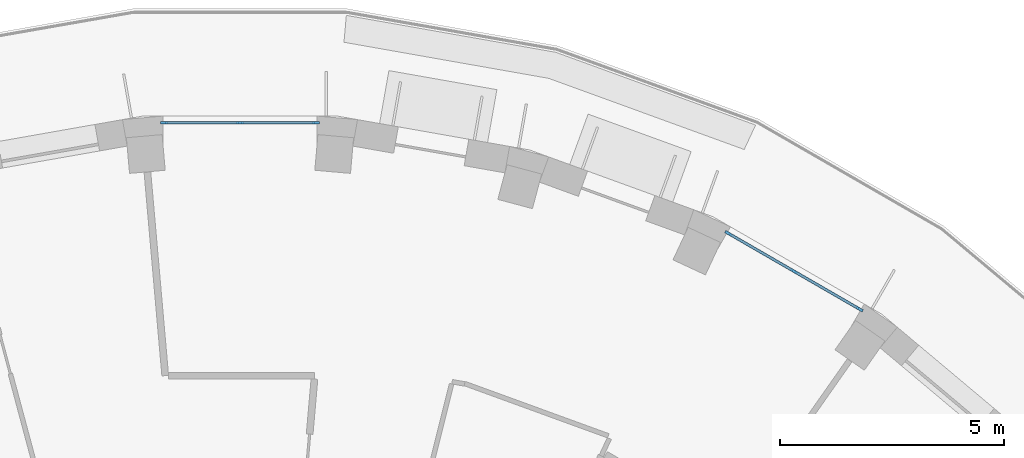
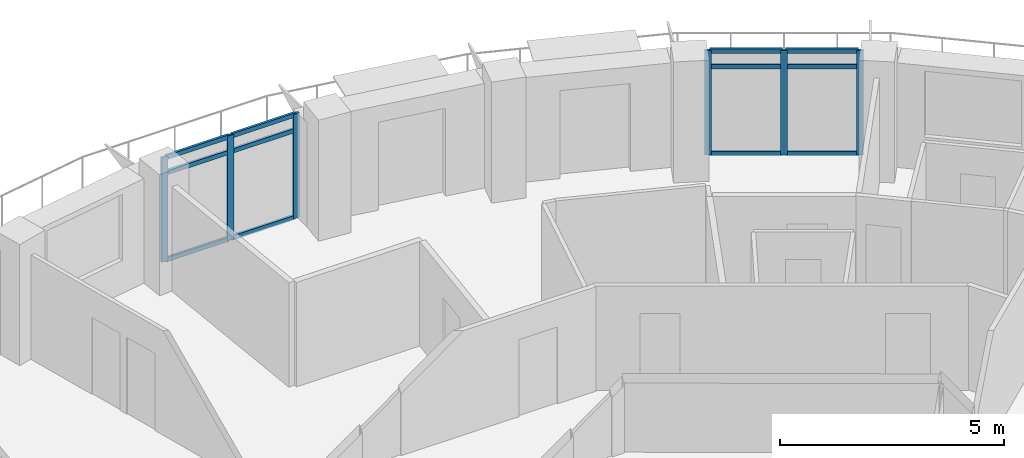
# One storey, part 2 of 13: 18 members, 2 elements without a shape of their own.
"""IFC4 building model written with IfcOpenShell, lengths in metres."""

from ifc_helpers import new_model, si_unit, direction, frame, origin, origin_2d, place, context, subcontext, project, spatial, rectangle, extrude, material, layer, layer_set, material_profile, profile_set, type_object, element, aggregate, save


model = new_model("IFC4")

# Units and contexts
model_context = context("Model", 3, precision=1e-05, world=origin(), true_north=direction((0.0, 1.0)))
body_context = subcontext(model_context, "Body", "Model", "MODEL_VIEW")
ifc_project = project(units=[si_unit("LENGTHUNIT", "METRE"), si_unit("AREAUNIT", "SQUARE_METRE"), si_unit("VOLUMEUNIT", "CUBIC_METRE"), si_unit("PLANEANGLEUNIT", "RADIAN"), si_unit("MASSUNIT", "GRAM", prefix="KILO")], contexts=[model_context])

# Site, building, storey
site_placement = place(None, origin())
site = spatial("IfcSite", under=ifc_project, at=site_placement, CompositionType="ELEMENT")
building_placement = place(site_placement, origin())
building = spatial("IfcBuilding", under=site, at=building_placement, Name="Saqina Gate Tower", CompositionType="ELEMENT")
storey_placement = place(building_placement, frame((0.0, 0.0, 203.699951171875)))
storey = spatial("IfcBuildingStorey", under=building, at=storey_placement, Name="L58", CompositionType="ELEMENT", Elevation=203.699951171875)

# Curtain wall, members
ifc_material_1 = material(Name="Aluminium glazing", Category="aluminium")
ifc_layer = layer(ifc_material_1, 0.159912109375)
ifc_layer_set = layer_set([ifc_layer], Name="CWT-4")
curtain_wall_type = type_object("IfcCurtainWallType", Name="CWT-4", PredefinedType="NOTDEFINED", material=ifc_layer_set)
curtain_wall_1_placement = place(storey_placement, origin())
curtain_wall_1 = element("IfcCurtainWall", 1, at=curtain_wall_1_placement, inside=storey, type_object=curtain_wall_type, Name="Terrace lounge glazing facet 6", PredefinedType="NOTDEFINED")
ifc_material_2 = material(Name="Aluminium", Category="aluminium")
ifc_material_profile_1 = material_profile(ifc_material_2, rectangle(XDim=0.06005859375, YDim=0.159912109375, at=origin_2d()), Name="Aluminium 60x160")
ifc_profile_set_1 = profile_set([ifc_material_profile_1], Name="Aluminium")
member_type_1 = type_object("IfcMemberType", Name="CWT-4M", PredefinedType="MULLION", material=ifc_profile_set_1)
member_1_placement = place(storey_placement, frame((13.84521484375, 20.5908203125, 0.0), z_axis=(0.0, 0.0, 1.0), x_axis=(-0.500014364391, -0.866017110341, 0.0)))
member_1 = element("IfcMember", 2, at=member_1_placement, type_object=member_type_1, Name="CW4-06 mullion 1", PredefinedType="MULLION", context=body_context, shape_type="SweptSolid", body=[
    extrude(rectangle(XDim=0.06005859375, YDim=0.159912109375, at=origin_2d()), origin(), (0.0, 0.0, 1.0), 2.85009765625),
])
member_2_placement = place(storey_placement, frame((12.37744140625, 21.438232421875, 0.0), z_axis=(0.0, 0.0, 1.0), x_axis=(-0.500014364391, -0.866017110341, 0.0)))
member_2 = element("IfcMember", 3, at=member_2_placement, type_object=member_type_1, Name="CW4-06 mullion 2", PredefinedType="MULLION", context=body_context, shape_type="SweptSolid", body=[
    extrude(rectangle(XDim=0.06005859375, YDim=0.159912109375, at=origin_2d()), origin(), (0.0, 0.0, 1.0), 2.85009765625),
])
member_3_placement = place(storey_placement, frame((10.90966796875, 22.285888671875, 0.0), z_axis=(0.0, 0.0, 1.0), x_axis=(-0.500014364391, -0.866017110341, 0.0)))
member_3 = element("IfcMember", 4, at=member_3_placement, type_object=member_type_1, Name="CW4-06 mullion 3", PredefinedType="MULLION", context=body_context, shape_type="SweptSolid", body=[
    extrude(rectangle(XDim=0.06005859375, YDim=0.159912109375, at=origin_2d()), origin(), (0.0, 0.0, 1.0), 2.85009765625),
])

curtain_wall_2_placement = place(storey_placement, origin())
curtain_wall_2 = element("IfcCurtainWall", 5, at=curtain_wall_2_placement, inside=storey, type_object=curtain_wall_type, Name="Terrace lounge glazing facet 9", PredefinedType="NOTDEFINED")
member_4_placement = place(storey_placement, frame((1.69482421875, 24.7548828125, 0.0), z_axis=(0.0, 0.0, 1.0), x_axis=(0.0, -1.0, 0.0)))
member_4 = element("IfcMember", 6, at=member_4_placement, type_object=member_type_1, Name="CW4-09 mullion 1", PredefinedType="MULLION", context=body_context, shape_type="SweptSolid", body=[
    extrude(rectangle(XDim=0.06005859375, YDim=0.159912109375, at=origin_2d()), origin(), (0.0, 0.0, 1.0), 2.85009765625),
])
member_5_placement = place(storey_placement, frame((0.0, 24.7548828125, 0.0), z_axis=(0.0, 0.0, 1.0), x_axis=(0.0, -1.0, 0.0)))
member_5 = element("IfcMember", 7, at=member_5_placement, type_object=member_type_1, Name="CW4-09 mullion 2", PredefinedType="MULLION", context=body_context, shape_type="SweptSolid", body=[
    extrude(rectangle(XDim=0.06005859375, YDim=0.159912109375, at=origin_2d()), origin(), (0.0, 0.0, 1.0), 2.85009765625),
])
member_6_placement = place(storey_placement, frame((-1.69482421875, 24.7548828125, 0.0), z_axis=(0.0, 0.0, 1.0), x_axis=(0.0, -1.0, 0.0)))
member_6 = element("IfcMember", 8, at=member_6_placement, type_object=member_type_1, Name="CW4-09 mullion 3", PredefinedType="MULLION", context=body_context, shape_type="SweptSolid", body=[
    extrude(rectangle(XDim=0.06005859375, YDim=0.159912109375, at=origin_2d()), origin(), (0.0, 0.0, 1.0), 2.85009765625),
])

# Member
ifc_material_3 = material(Name="Aluminium", Category="aluminium")
ifc_material_profile_2 = material_profile(ifc_material_3, rectangle(XDim=0.06005859375, YDim=0.1201171875, at=origin_2d()), Name="Aluminium 60x120")
ifc_profile_set_2 = profile_set([ifc_material_profile_2], Name="Aluminium")
member_type_2 = type_object("IfcMemberType", Name="CWT-4T", PredefinedType="USERDEFINED", material=ifc_profile_set_2)
member_7_placement = place(storey_placement, frame((13.8193359375, 20.60595703125, 0.030029296875), z_axis=(-0.866066236526, 0.499929268946, 0.0), x_axis=(-0.499929268946, -0.866066236526, 0.0)))
member_7 = element("IfcMember", 9, at=member_7_placement, type_object=member_type_2, Name="CW4-06 transom 1.1", ObjectType="TRANSOM", PredefinedType="USERDEFINED", context=body_context, shape_type="SweptSolid", body=[
    extrude(rectangle(XDim=0.06005859375, YDim=0.1201171875, at=origin_2d()), origin(), (0.0, 0.0, 1.0), 1.635009765625),
])

member_8_placement = place(storey_placement, frame((13.8193359375, 20.60595703125, 2.400146484375), z_axis=(-0.866066236526, 0.499929268946, 0.0), x_axis=(-0.499929268946, -0.866066236526, 0.0)))
member_8 = element("IfcMember", 10, at=member_8_placement, type_object=member_type_2, Name="CW4-06 transom 1.2", ObjectType="TRANSOM", PredefinedType="USERDEFINED", context=body_context, shape_type="SweptSolid", body=[
    extrude(rectangle(XDim=0.06005859375, YDim=0.1201171875, at=origin_2d()), origin(), (0.0, 0.0, 1.0), 1.635009765625),
])

member_9_placement = place(storey_placement, frame((13.8193359375, 20.60595703125, 2.820068359375), z_axis=(-0.866066236526, 0.499929268946, 0.0), x_axis=(-0.499929268946, -0.866066236526, 0.0)))
member_9 = element("IfcMember", 11, at=member_9_placement, type_object=member_type_2, Name="CW4-06 transom 1.3", ObjectType="TRANSOM", PredefinedType="USERDEFINED", context=body_context, shape_type="SweptSolid", body=[
    extrude(rectangle(XDim=0.06005859375, YDim=0.1201171875, at=origin_2d()), origin(), (0.0, 0.0, 1.0), 1.635009765625),
])

member_10_placement = place(storey_placement, frame((12.3515625, 21.453369140625, 0.030029296875), z_axis=(-0.866066236526, 0.499929268946, 0.0), x_axis=(-0.499929268946, -0.866066236526, 0.0)))
member_10 = element("IfcMember", 12, at=member_10_placement, type_object=member_type_2, Name="CW4-06 transom 2.1", ObjectType="TRANSOM", PredefinedType="USERDEFINED", context=body_context, shape_type="SweptSolid", body=[
    extrude(rectangle(XDim=0.06005859375, YDim=0.1201171875, at=origin_2d()), origin(), (0.0, 0.0, 1.0), 1.635009765625),
])

member_11_placement = place(storey_placement, frame((12.3515625, 21.453369140625, 2.400146484375), z_axis=(-0.866066236526, 0.499929268946, 0.0), x_axis=(-0.499929268946, -0.866066236526, 0.0)))
member_11 = element("IfcMember", 13, at=member_11_placement, type_object=member_type_2, Name="CW4-06 transom 2.2", ObjectType="TRANSOM", PredefinedType="USERDEFINED", context=body_context, shape_type="SweptSolid", body=[
    extrude(rectangle(XDim=0.06005859375, YDim=0.1201171875, at=origin_2d()), origin(), (0.0, 0.0, 1.0), 1.635009765625),
])

member_12_placement = place(storey_placement, frame((12.3515625, 21.453369140625, 2.820068359375), z_axis=(-0.866066236526, 0.499929268946, 0.0), x_axis=(-0.499929268946, -0.866066236526, 0.0)))
member_12 = element("IfcMember", 14, at=member_12_placement, type_object=member_type_2, Name="CW4-06 transom 2.3", ObjectType="TRANSOM", PredefinedType="USERDEFINED", context=body_context, shape_type="SweptSolid", body=[
    extrude(rectangle(XDim=0.06005859375, YDim=0.1201171875, at=origin_2d()), origin(), (0.0, 0.0, 1.0), 1.635009765625),
])

aggregate(curtain_wall_1, [member_1, member_2, member_3, member_7, member_8, member_9, member_10, member_11, member_12])

member_13_placement = place(storey_placement, frame((1.664794921875, 24.7548828125, 0.030029296875), z_axis=(-1.0, 0.0, 0.0), x_axis=(0.0, -1.0, 0.0)))
member_13 = element("IfcMember", 15, at=member_13_placement, type_object=member_type_2, Name="CW4-09 transom 1.1", ObjectType="TRANSOM", PredefinedType="USERDEFINED", context=body_context, shape_type="SweptSolid", body=[
    extrude(rectangle(XDim=0.06005859375, YDim=0.1201171875, at=origin_2d()), origin(), (0.0, 0.0, 1.0), 1.634765625),
])

member_14_placement = place(storey_placement, frame((1.664794921875, 24.7548828125, 2.400146484375), z_axis=(-1.0, 0.0, 0.0), x_axis=(0.0, -1.0, 0.0)))
member_14 = element("IfcMember", 16, at=member_14_placement, type_object=member_type_2, Name="CW4-09 transom 1.2", ObjectType="TRANSOM", PredefinedType="USERDEFINED", context=body_context, shape_type="SweptSolid", body=[
    extrude(rectangle(XDim=0.06005859375, YDim=0.1201171875, at=origin_2d()), origin(), (0.0, 0.0, 1.0), 1.634765625),
])

member_15_placement = place(storey_placement, frame((1.664794921875, 24.7548828125, 2.820068359375), z_axis=(-1.0, 0.0, 0.0), x_axis=(0.0, -1.0, 0.0)))
member_15 = element("IfcMember", 17, at=member_15_placement, type_object=member_type_2, Name="CW4-09 transom 1.3", ObjectType="TRANSOM", PredefinedType="USERDEFINED", context=body_context, shape_type="SweptSolid", body=[
    extrude(rectangle(XDim=0.06005859375, YDim=0.1201171875, at=origin_2d()), origin(), (0.0, 0.0, 1.0), 1.634765625),
])

member_16_placement = place(storey_placement, frame((-0.030029296875, 24.7548828125, 0.030029296875), z_axis=(-1.0, 0.0, 0.0), x_axis=(0.0, -1.0, 0.0)))
member_16 = element("IfcMember", 18, at=member_16_placement, type_object=member_type_2, Name="CW4-09 transom 2.1", ObjectType="TRANSOM", PredefinedType="USERDEFINED", context=body_context, shape_type="SweptSolid", body=[
    extrude(rectangle(XDim=0.06005859375, YDim=0.1201171875, at=origin_2d()), origin(), (0.0, 0.0, 1.0), 1.634765625),
])

member_17_placement = place(storey_placement, frame((-0.030029296875, 24.7548828125, 2.400146484375), z_axis=(-1.0, 0.0, 0.0), x_axis=(0.0, -1.0, 0.0)))
member_17 = element("IfcMember", 19, at=member_17_placement, type_object=member_type_2, Name="CW4-09 transom 2.2", ObjectType="TRANSOM", PredefinedType="USERDEFINED", context=body_context, shape_type="SweptSolid", body=[
    extrude(rectangle(XDim=0.06005859375, YDim=0.1201171875, at=origin_2d()), origin(), (0.0, 0.0, 1.0), 1.634765625),
])

member_18_placement = place(storey_placement, frame((-0.030029296875, 24.7548828125, 2.820068359375), z_axis=(-1.0, 0.0, 0.0), x_axis=(0.0, -1.0, 0.0)))
member_18 = element("IfcMember", 20, at=member_18_placement, type_object=member_type_2, Name="CW4-09 transom 2.3", ObjectType="TRANSOM", PredefinedType="USERDEFINED", context=body_context, shape_type="SweptSolid", body=[
    extrude(rectangle(XDim=0.06005859375, YDim=0.1201171875, at=origin_2d()), origin(), (0.0, 0.0, 1.0), 1.634765625),
])

aggregate(curtain_wall_2, [member_4, member_5, member_6, member_13, member_14, member_15, member_16, member_17, member_18])

save(model, "model.ifc")
